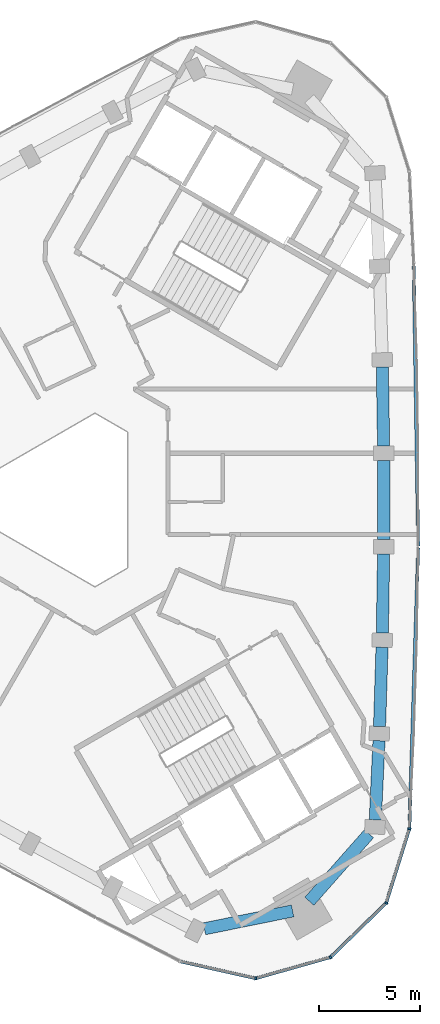
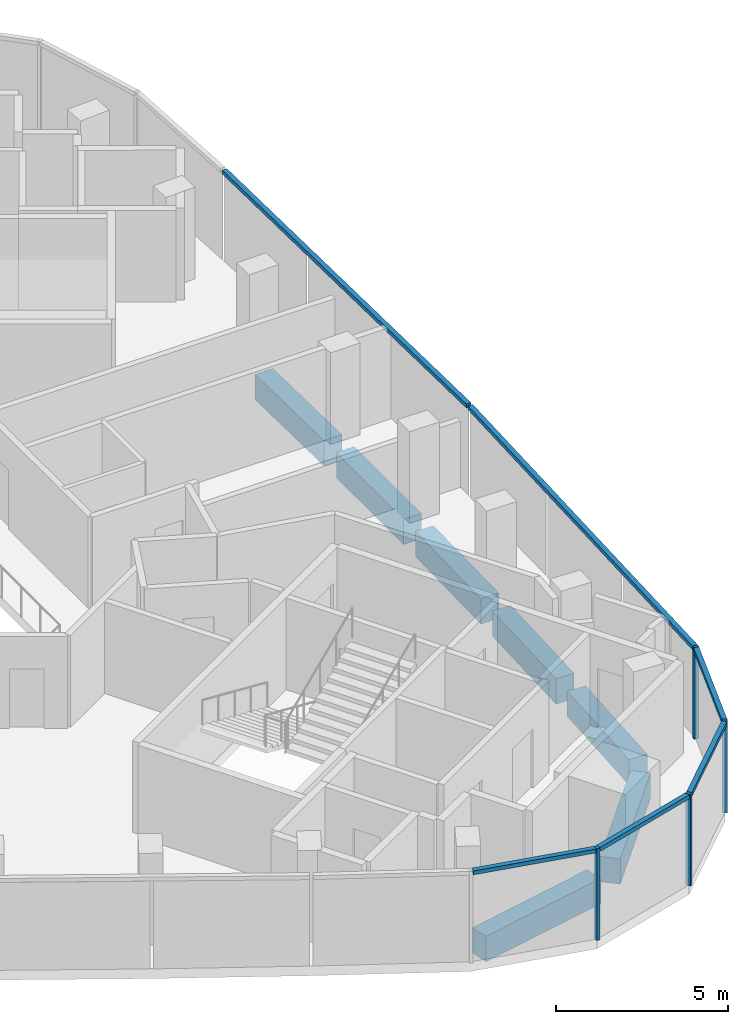
# One storey, part 3 of 10: 10 members, 7 beams, 2 elements without a shape of their own.
"""IFC4 building model written with IfcOpenShell, lengths in metres."""

from ifc_helpers import new_model, si_unit, direction, frame, origin, origin_2d, place, context, subcontext, project, spatial, rectangle, extrude, material, material_profile, profile_set, type_object, element, aggregate, save


model = new_model("IFC4")

# Units and contexts
model_context = context("Model", 3, precision=1e-05, world=origin(), true_north=direction((0.0, 1.0)))
body_context = subcontext(model_context, "Body", "Model", "MODEL_VIEW")
ifc_project = project(units=[si_unit("LENGTHUNIT", "METRE"), si_unit("AREAUNIT", "SQUARE_METRE"), si_unit("VOLUMEUNIT", "CUBIC_METRE"), si_unit("PLANEANGLEUNIT", "RADIAN"), si_unit("MASSUNIT", "GRAM", prefix="KILO")], contexts=[model_context])

# Site, building, storey
site_placement = place(None, origin())
site = spatial("IfcSite", under=ifc_project, at=site_placement, CompositionType="ELEMENT")
building_placement = place(site_placement, origin())
building = spatial("IfcBuilding", under=site, at=building_placement, Name="Tamra Quay Hotel Tower", CompositionType="ELEMENT")
storey_placement = place(building_placement, frame((0.0, 0.0, 265.800048828125)))
storey = spatial("IfcBuildingStorey", under=building, at=storey_placement, Name="L67", CompositionType="ELEMENT", Elevation=265.800048828125)

# Curtain wall, member
ifc_material_1 = material(Name="Aluminium 6063 anodised dark grey", Category="aluminium")
curtain_wall_type_1 = type_object("IfcCurtainWallType", Name="CW1 CURTAIN WALL", PredefinedType="NOTDEFINED", material=ifc_material_1)
curtain_wall_1_placement = place(storey_placement, origin())
curtain_wall_1 = element("IfcCurtainWall", 1, at=curtain_wall_1_placement, inside=storey, type_object=curtain_wall_type_1, Name="CW1 east face L67", PredefinedType="NOTDEFINED")
ifc_material_profile_1 = material_profile(ifc_material_1, rectangle(XDim=0.159912109375, YDim=0.10009765625, at=origin_2d()), Name="MULLION 100X160")
ifc_profile_set_1 = profile_set([ifc_material_profile_1], Name="Aluminium 6063 anodised dark grey")
member_type_1 = type_object("IfcMemberType", Name="MULLION CW1 Z6", PredefinedType="MULLION", material=ifc_profile_set_1)
member_1_placement = place(storey_placement, frame((16.89990234375, -16.210205078125, 0.0), z_axis=(0.0, 0.0, 1.0), x_axis=(0.984739919862, -0.174032440167, 0.0)))
member_1 = element("IfcMember", 2, at=member_1_placement, type_object=member_type_1, Name="CW1 mullion L67.E.1", PredefinedType="MULLION", context=body_context, shape_type="SweptSolid", body=[
    extrude(rectangle(XDim=0.159912109375, YDim=0.10009765625, at=origin_2d()), origin(), (0.0, 0.0, 1.0), 3.25),
])

# Curtain wall, members
curtain_wall_type_2 = type_object("IfcCurtainWallType", Name="CW3 CURTAIN WALL", PredefinedType="NOTDEFINED", material=ifc_material_1)
curtain_wall_2_placement = place(storey_placement, origin())
curtain_wall_2 = element("IfcCurtainWall", 3, at=curtain_wall_2_placement, inside=storey, type_object=curtain_wall_type_2, Name="CW3 south-west face L67", PredefinedType="NOTDEFINED")
ifc_material_profile_2 = material_profile(ifc_material_1, rectangle(XDim=0.159912109375, YDim=0.10009765625, at=origin_2d()), Name="MULLION 100X160")
ifc_profile_set_2 = profile_set([ifc_material_profile_2], Name="Aluminium 6063 anodised dark grey")
member_type_2 = type_object("IfcMemberType", Name="MULLION CW3 Z6", PredefinedType="MULLION", material=ifc_profile_set_2)
member_2_placement = place(storey_placement, frame((9.325927734375, -23.578857421875, 0.0), z_axis=(0.0, 0.0, 1.0), x_axis=(0.027468865497, -0.999622659521, 0.0)))
member_2 = element("IfcMember", 4, at=member_2_placement, type_object=member_type_2, Name="CW3 mullion L67.SW.9", PredefinedType="MULLION", context=body_context, shape_type="SweptSolid", body=[
    extrude(rectangle(XDim=0.159912109375, YDim=0.10009765625, at=origin_2d()), origin(), (0.0, 0.0, 1.0), 3.25),
])
member_3_placement = place(storey_placement, frame((13.01171875, -22.536865234375, 0.0), z_axis=(0.0, 0.0, 1.0), x_axis=(0.5, -0.866025403784, 0.0)))
member_3 = element("IfcMember", 5, at=member_3_placement, type_object=member_type_2, Name="CW3 mullion L67.SW.10", PredefinedType="MULLION", context=body_context, shape_type="SweptSolid", body=[
    extrude(rectangle(XDim=0.159912109375, YDim=0.10009765625, at=origin_2d()), origin(), (0.0, 0.0, 1.0), 3.25),
])
member_4_placement = place(storey_placement, frame((15.757080078125, -19.865966796875, 0.0), z_axis=(0.0, 0.0, 1.0), x_axis=(0.851964184595, -0.523600065094, 0.0)))
member_4 = element("IfcMember", 6, at=member_4_placement, type_object=member_type_2, Name="CW3 mullion L67.SW.11", PredefinedType="MULLION", context=body_context, shape_type="SweptSolid", body=[
    extrude(rectangle(XDim=0.159912109375, YDim=0.10009765625, at=origin_2d()), origin(), (0.0, 0.0, 1.0), 3.25),
])

# Beams
ifc_material_2 = material(Name="Concrete M60", Category="concrete")
ifc_material_profile_3 = material_profile(ifc_material_2, rectangle(XDim=0.60009765625, YDim=0.89990234375, at=origin_2d()), Name="SPANDREL BEAM RC 600x900")
ifc_profile_set_3 = profile_set([ifc_material_profile_3], Name="Concrete M60")
beam_type = type_object("IfcBeamType", Name="SPANDREL BEAM RC 600x900", PredefinedType="SPANDREL", material=ifc_profile_set_3)
beam_1_placement = place(storey_placement, frame((15.218994140625, -15.767333984375, -0.800048828125), z_axis=(0.04680507522, 0.998904041905, 0.0), x_axis=(-0.998904041905, 0.04680507522, 0.0)))
element("IfcBeam", 7, at=beam_1_placement, inside=storey, type_object=beam_type, Name="BM-SP6-000-L67", PredefinedType="SPANDREL", context=body_context, shape_type="SweptSolid", body=[
    extrude(rectangle(XDim=0.60009765625, YDim=0.89990234375, at=origin_2d()), origin(), (0.0, 0.0, 1.0), 3.906982421875),
])
beam_2_placement = place(storey_placement, frame((15.42919921875, -11.165283203125, -0.800048828125), z_axis=(0.031240604276, 0.999511893198, 0.0), x_axis=(-0.999511893198, 0.031240604276, 0.0)))
element("IfcBeam", 8, at=beam_2_placement, inside=storey, type_object=beam_type, Name="BM-SP6-001-L67", PredefinedType="SPANDREL", context=body_context, shape_type="SweptSolid", body=[
    extrude(rectangle(XDim=0.60009765625, YDim=0.89990234375, at=origin_2d()), origin(), (0.0, 0.0, 1.0), 3.907470703125),
])
beam_3_placement = place(storey_placement, frame((15.567626953125, -6.559814453125, -0.800048828125), z_axis=(0.015623093001, 0.999877952035, 0.0), x_axis=(-0.999877952035, 0.015623093001, 0.0)))
element("IfcBeam", 9, at=beam_3_placement, inside=storey, type_object=beam_type, Name="BM-SP6-002-L67", PredefinedType="SPANDREL", context=body_context, shape_type="SweptSolid", body=[
    extrude(rectangle(XDim=0.60009765625, YDim=0.89990234375, at=origin_2d()), origin(), (0.0, 0.0, 1.0), 3.90673828125),
])
beam_4_placement = place(storey_placement, frame((15.634033203125, -1.95361328125, -0.800048828125), z_axis=(0.0, 1.0, 0.0), x_axis=(-1.0, 0.0, 0.0)))
element("IfcBeam", 10, at=beam_4_placement, inside=storey, type_object=beam_type, Name="BM-SP6-003-L67", PredefinedType="SPANDREL", context=body_context, shape_type="SweptSolid", body=[
    extrude(rectangle(XDim=0.60009765625, YDim=0.89990234375, at=origin_2d()), origin(), (0.0, 0.0, 1.0), 3.9072265625),
])
beam_5_placement = place(storey_placement, frame((15.628662109375, 2.653564453125, -0.800048828125), z_axis=(-0.015623093001, 0.999877952035, 0.0), x_axis=(-0.999877952035, -0.015623093001, 0.0)))
element("IfcBeam", 11, at=beam_5_placement, inside=storey, type_object=beam_type, Name="BM-SP6-004-L67", PredefinedType="SPANDREL", context=body_context, shape_type="SweptSolid", body=[
    extrude(rectangle(XDim=0.60009765625, YDim=0.89990234375, at=origin_2d()), origin(), (0.0, 0.0, 1.0), 3.90673828125),
])
beam_6_placement = place(storey_placement, frame((6.79345703125, -21.1357421875, -0.800048828125), z_axis=(0.980114952618, 0.198430541133, 0.0), x_axis=(-0.198430541133, 0.980114952618, 0.0)))
element("IfcBeam", 12, at=beam_6_placement, inside=storey, type_object=beam_type, Name="BM-SP6-025-L67", PredefinedType="SPANDREL", context=body_context, shape_type="SweptSolid", body=[
    extrude(rectangle(XDim=0.60009765625, YDim=0.89990234375, at=origin_2d()), origin(), (0.0, 0.0, 1.0), 4.441650390625),
])
beam_7_placement = place(storey_placement, frame((11.96728515625, -19.781005859375, -0.800048828125), z_axis=(0.661856103448, 0.749630908066, 0.0), x_axis=(-0.749630908066, 0.661856103448, 0.0)))
element("IfcBeam", 13, at=beam_7_placement, inside=storey, type_object=beam_type, Name="BM-SP6-026-L67", PredefinedType="SPANDREL", context=body_context, shape_type="SweptSolid", body=[
    extrude(rectangle(XDim=0.60009765625, YDim=0.89990234375, at=origin_2d()), origin(), (0.0, 0.0, 1.0), 4.44189453125),
])

# Member
ifc_material_profile_4 = material_profile(ifc_material_1, rectangle(XDim=0.159912109375, YDim=0.139892578125, at=origin_2d()), Name="TRANSOM 160X140")
ifc_profile_set_4 = profile_set([ifc_material_profile_4], Name="Aluminium 6063 anodised dark grey")
member_type_3 = type_object("IfcMemberType", Name="TRANSOM CW1 Z6", PredefinedType="USERDEFINED", material=ifc_profile_set_4)
member_5_placement = place(storey_placement, frame((16.90234375, -16.160400390625, 3.179931640625), z_axis=(0.031224810835, 0.999512386711, 0.0), x_axis=(-0.999512386711, 0.031224810835, 0.0)))
member_5 = element("IfcMember", 14, at=member_5_placement, type_object=member_type_3, Name="CW1 transom L67.E.1", ObjectType="TRANSOM", PredefinedType="USERDEFINED", context=body_context, shape_type="SweptSolid", body=[
    extrude(rectangle(XDim=0.159912109375, YDim=0.139892578125, at=origin_2d()), origin(), (0.0, 0.0, 1.0), 13.80029296875),
])

member_6_placement = place(storey_placement, frame((17.333984375, -2.266845703125, 3.179931640625), z_axis=(-0.015621987524, 0.999877969307, 0.0), x_axis=(-0.999877969307, -0.015621987524, 0.0)))
member_6 = element("IfcMember", 15, at=member_6_placement, type_object=member_type_3, Name="CW1 transom L67.E.4", ObjectType="TRANSOM", PredefinedType="USERDEFINED", context=body_context, shape_type="SweptSolid", body=[
    extrude(rectangle(XDim=0.159912109375, YDim=0.139892578125, at=origin_2d()), origin(), (0.0, 0.0, 1.0), 13.799560546875),
])

aggregate(curtain_wall_1, [member_1, member_5, member_6])

ifc_material_profile_5 = material_profile(ifc_material_1, rectangle(XDim=0.159912109375, YDim=0.139892578125, at=origin_2d()), Name="TRANSOM 160X140")
ifc_profile_set_5 = profile_set([ifc_material_profile_5], Name="Aluminium 6063 anodised dark grey")
member_type_4 = type_object("IfcMemberType", Name="TRANSOM CW3 Z6", PredefinedType="USERDEFINED", material=ifc_profile_set_5)
member_7_placement = place(storey_placement, frame((5.63720703125, -22.751708984375, 3.179931640625), z_axis=(0.975757055509, -0.218856502356, 0.0), x_axis=(0.218856502356, 0.975757055509, 0.0)))
member_7 = element("IfcMember", 16, at=member_7_placement, type_object=member_type_4, Name="CW3 transom L67.SW.8", ObjectType="TRANSOM", PredefinedType="USERDEFINED", context=body_context, shape_type="SweptSolid", body=[
    extrude(rectangle(XDim=0.159912109375, YDim=0.139892578125, at=origin_2d()), origin(), (0.0, 0.0, 1.0), 3.730224609375),
])

member_8_placement = place(storey_placement, frame((9.3740234375, -23.5654296875, 3.179931640625), z_axis=(0.9622784918, 0.272066359955, 0.0), x_axis=(-0.272066359955, 0.9622784918, 0.0)))
member_8 = element("IfcMember", 17, at=member_8_placement, type_object=member_type_4, Name="CW3 transom L67.SW.9", ObjectType="TRANSOM", PredefinedType="USERDEFINED", context=body_context, shape_type="SweptSolid", body=[
    extrude(rectangle(XDim=0.159912109375, YDim=0.139892578125, at=origin_2d()), origin(), (0.0, 0.0, 1.0), 3.730224609375),
])

member_9_placement = place(storey_placement, frame((13.047607421875, -22.501953125, 3.179931640625), z_axis=(0.716759527702, 0.697320428102, 0.0), x_axis=(-0.697320428102, 0.716759527702, 0.0)))
member_9 = element("IfcMember", 18, at=member_9_placement, type_object=member_type_4, Name="CW3 transom L67.SW.10", ObjectType="TRANSOM", PredefinedType="USERDEFINED", context=body_context, shape_type="SweptSolid", body=[
    extrude(rectangle(XDim=0.159912109375, YDim=0.139892578125, at=origin_2d()), origin(), (0.0, 0.0, 1.0), 3.72998046875),
])

member_10_placement = place(storey_placement, frame((15.77197265625, -19.818359375, 3.179931640625), z_axis=(0.298383063983, 0.95444619918, 0.0), x_axis=(-0.95444619918, 0.298383063983, 0.0)))
member_10 = element("IfcMember", 19, at=member_10_placement, type_object=member_type_4, Name="CW3 transom L67.SW.11", ObjectType="TRANSOM", PredefinedType="USERDEFINED", context=body_context, shape_type="SweptSolid", body=[
    extrude(rectangle(XDim=0.159912109375, YDim=0.139892578125, at=origin_2d()), origin(), (0.0, 0.0, 1.0), 3.730224609375),
])

aggregate(curtain_wall_2, [member_7, member_2, member_8, member_3, member_9, member_4, member_10])

save(model, "model.ifc")
